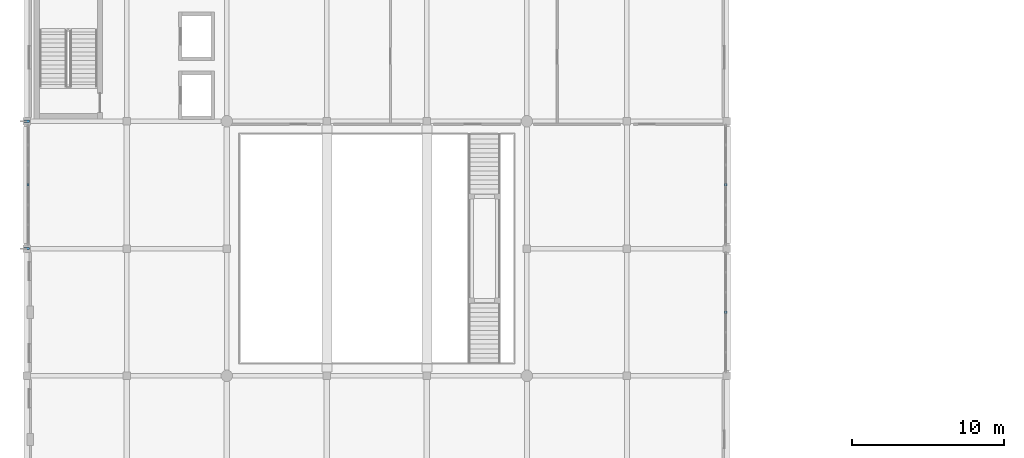
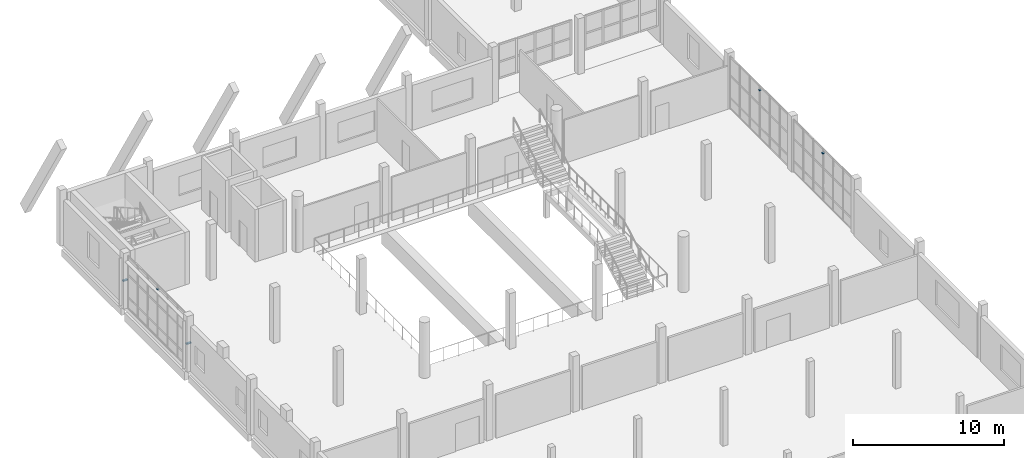
# One storey, part 58 of 76: 5 discrete accessories.
"""IFC4 building model written with IfcOpenShell, lengths in metres."""

from ifc_helpers import new_model, si_unit, direction, frame, origin, origin_2d, place, context, subcontext, project, spatial, rectangle, extrude, material, layer, layer_set, type_object, element, save


model = new_model("IFC4")

# Units and contexts
model_context = context("Model", 3, precision=1e-05, world=origin(), true_north=direction((0.0, 1.0)))
body_context = subcontext(model_context, "Body", "Model", "MODEL_VIEW")
ifc_project = project(units=[si_unit("LENGTHUNIT", "METRE"), si_unit("AREAUNIT", "SQUARE_METRE"), si_unit("VOLUMEUNIT", "CUBIC_METRE"), si_unit("PLANEANGLEUNIT", "RADIAN"), si_unit("MASSUNIT", "GRAM", prefix="KILO")], contexts=[model_context])

# Site, building, storey
site_placement = place(None, origin())
site = spatial("IfcSite", under=ifc_project, at=site_placement, CompositionType="ELEMENT")
building_placement = place(site_placement, origin())
building = spatial("IfcBuilding", under=site, at=building_placement, Name="Qaldarim Faculty of Natural and Applied Sciences", CompositionType="ELEMENT")
storey_placement = place(building_placement, frame((0.0, 0.0, 9.89990234375)))
storey = spatial("IfcBuildingStorey", under=building, at=storey_placement, Name="L02", CompositionType="ELEMENT", Elevation=9.89990234375)

# Discrete accessories
ifc_material = material(Name="Architectural stainless steel 316", Category="steel")
ifc_layer = layer(ifc_material, 0.080078125)
ifc_layer_set = layer_set([ifc_layer], Name="Architectural stainless steel 316")
discrete_accessory_type = type_object("IfcDiscreteAccessoryType", Name="FacadeBracket-SS120", PredefinedType="BRACKET", material=ifc_layer_set)
for number, where, z_axis, x_axis, name in (
    (1, (0.080078125, 71.39990234375, 3.85009765625), (0.0, 0.0, 1.0), (0.0, 1.0, 0.0), "Solar louvre support bracket SHD-L02-W-X01Y09"),
    (2, (46.1201171875, 63.0, 3.85009765625), (0.0, 0.0, 1.0), (0.0, 1.0, 0.0), "Solar louvre support bracket SHD-L02-E-X07Y08"),
    (3, (46.1201171875, 71.39990234375, 3.85009765625), (0.0, 0.0, 1.0), (0.0, 1.0, 0.0), "Solar louvre support bracket SHD-L02-E-X07Y09"),
):
    element("IfcDiscreteAccessory", number, at=place(storey_placement, frame(where, z_axis=z_axis, x_axis=x_axis)), inside=storey, type_object=discrete_accessory_type, Name=name, PredefinedType="BRACKET", context=body_context, shape_type="SweptSolid", body=[
        extrude(rectangle(XDim=0.159912109375, YDim=0.159912109375, at=origin_2d()), origin(), (0.0, 0.0, 1.0), 0.080078125),
    ])
for number, where, z_axis, x_axis, name in (
    (4, (0.0, 67.199951171875, 2.070068359375), (0.0, 0.0, 1.0), (1.0, 0.0, 0.0), "Solar fin bracket FIN-L02-X01Y09"),
    (5, (0.0, 75.60009765625, 2.070068359375), (0.0, 0.0, 1.0), (1.0, 0.0, 0.0), "Solar fin bracket FIN-L02-X01Y10"),
):
    element("IfcDiscreteAccessory", number, at=place(storey_placement, frame(where, z_axis=z_axis, x_axis=x_axis)), inside=storey, type_object=discrete_accessory_type, Name=name, PredefinedType="BRACKET", context=body_context, shape_type="SweptSolid", body=[
        extrude(rectangle(XDim=0.360107421875, YDim=0.139892578125, at=origin_2d()), origin(), (0.0, 0.0, 1.0), 0.10009765625),
    ])

save(model, "model.ifc")
